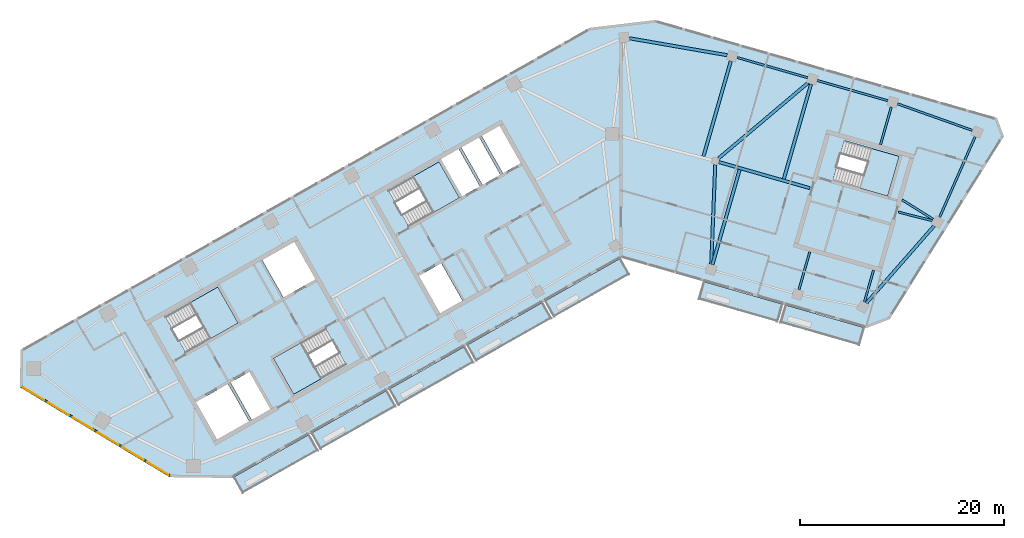
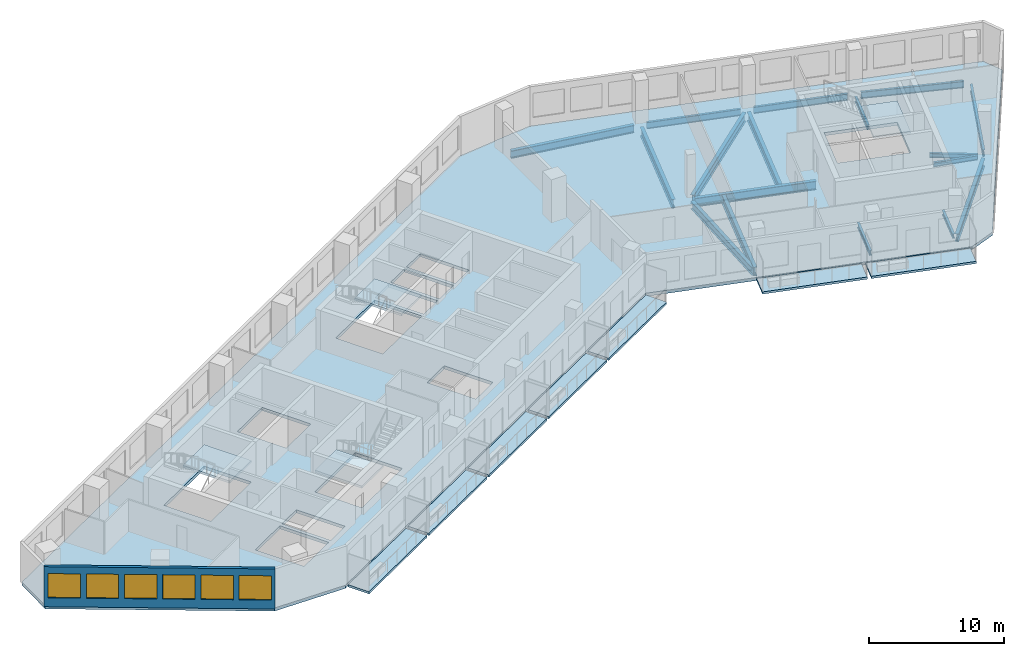
# One storey, part 2 of 12: 17 beams, 12 slabs, 6 windows, 1 wall, 6 openings, 4 elements without a shape of their own.
"""IFC4 building model written with IfcOpenShell, lengths in metres."""

from ifc_helpers import new_model, si_unit, direction, frame, frame_2d, origin, origin_2d, place, context, subcontext, project, spatial, polyline, rectangle, i_section, outline, extrude, material, layer, layer_set, material_profile, profile_set, type_object, element, fill, aggregate, save


model = new_model("IFC4")

# Units and contexts
model_context = context("Model", 3, precision=1e-05, world=origin(), true_north=direction((0.0, 1.0)))
body_context = subcontext(model_context, "Body", "Model", "MODEL_VIEW")
ifc_project = project(units=[si_unit("LENGTHUNIT", "METRE"), si_unit("AREAUNIT", "SQUARE_METRE"), si_unit("VOLUMEUNIT", "CUBIC_METRE"), si_unit("PLANEANGLEUNIT", "RADIAN"), si_unit("MASSUNIT", "GRAM", prefix="KILO")], contexts=[model_context])

# Site, building, storey
site_placement = place(None, origin())
site = spatial("IfcSite", under=ifc_project, at=site_placement, CompositionType="ELEMENT")
building_placement = place(site_placement, origin())
building = spatial("IfcBuilding", under=site, at=building_placement, Name="Binnacle Exchange Tower", CompositionType="ELEMENT")
storey_placement = place(building_placement, frame((0.0, 0.0, 242.60009765625)))
storey = spatial("IfcBuildingStorey", under=building, at=storey_placement, Name="L53", CompositionType="ELEMENT", Elevation=242.60009765625)

# Beams
ifc_material_1 = material(Name="Steel S355 (SHN355)", Category="steel")
ifc_material_profile_1 = material_profile(ifc_material_1, i_section(OverallWidth=0.199951171875, OverallDepth=0.60009765625, WebThickness=0.010986328125, FlangeThickness=0.01708984375, FilletRadius=0.02197265625, at=origin_2d()), Name="H 600x200x11x17")
ifc_profile_set_1 = profile_set([ifc_material_profile_1], Name="Steel S355 (SHN355)")
beam_type_1 = type_object("IfcBeamType", Name="Edge girder H 600x200x11x17 Steel S355 (SHN355)", PredefinedType="SPANDREL", material=ifc_profile_set_1)
beam_1_placement = place(storey_placement, frame((18.265625, 65.513916015625, -0.580078125), z_axis=(-0.961255050864, 0.275660528891, 0.0), x_axis=(-0.275660528891, -0.961255050864, 0.0)))
element("IfcBeam", 1, at=beam_1_placement, inside=storey, type_object=beam_type_1, Name="S:BM:edge:L53:029", PredefinedType="SPANDREL", context=body_context, shape_type="SweptSolid", body=[
    extrude(i_section(OverallWidth=0.199951171875, OverallDepth=0.60009765625, WebThickness=0.010986328125, FlangeThickness=0.01708984375, FilletRadius=0.02197265625, at=origin_2d()), origin(), (0.0, 0.0, 1.0), 7.1728515625),
])
beam_2_placement = place(storey_placement, frame((26.1220703125, 63.26123046875, -0.580078125), z_axis=(-0.96126665508, 0.275620060647, 0.0), x_axis=(-0.275620060647, -0.96126665508, 0.0)))
element("IfcBeam", 2, at=beam_2_placement, inside=storey, type_object=beam_type_1, Name="S:BM:edge:L53:031", PredefinedType="SPANDREL", context=body_context, shape_type="SweptSolid", body=[
    extrude(i_section(OverallWidth=0.199951171875, OverallDepth=0.60009765625, WebThickness=0.010986328125, FlangeThickness=0.01708984375, FilletRadius=0.02197265625, at=origin_2d()), origin(), (0.0, 0.0, 1.0), 7.173095703125),
])
ifc_material_profile_2 = material_profile(ifc_material_1, i_section(OverallWidth=0.200927734375, OverallDepth=0.60595703125, WebThickness=0.011962890625, FlangeThickness=0.02001953125, FilletRadius=0.02197265625, at=origin_2d()), Name="H 606x201x12x20")
ifc_profile_set_2 = profile_set([ifc_material_profile_2], Name="Steel S355 (SHN355)")
beam_type_2 = type_object("IfcBeamType", Name="Edge girder H 606x201x12x20 Steel S355 (SHN355)", PredefinedType="SPANDREL", material=ifc_profile_set_2)
beam_3_placement = place(storey_placement, frame((34.3984375, 60.3544921875, -0.5830078125), z_axis=(-0.942323270608, 0.334704128553, 0.0), x_axis=(-0.334704128553, -0.942323270608, 0.0)))
element("IfcBeam", 3, at=beam_3_placement, inside=storey, type_object=beam_type_2, Name="S:BM:edge:L53:033", PredefinedType="SPANDREL", context=body_context, shape_type="SweptSolid", body=[
    extrude(i_section(OverallWidth=0.200927734375, OverallDepth=0.60595703125, WebThickness=0.011962890625, FlangeThickness=0.02001953125, FilletRadius=0.02197265625, at=origin_2d()), origin(), (0.0, 0.0, 1.0), 7.77197265625),
])
ifc_material_profile_3 = material_profile(ifc_material_1, i_section(OverallWidth=0.201904296875, OverallDepth=0.612060546875, WebThickness=0.012939453125, FlangeThickness=0.02294921875, FilletRadius=0.02197265625, at=origin_2d()), Name="H 612x202x13x23")
ifc_profile_set_3 = profile_set([ifc_material_profile_3], Name="Steel S355 (SHN355)")
beam_type_3 = type_object("IfcBeamType", Name="Edge girder H 612x202x13x23 Steel S355 (SHN355)", PredefinedType="SPANDREL", material=ifc_profile_set_3)
beam_4_placement = place(storey_placement, frame((31.193359375, 51.848388671875, -0.586181640625), z_axis=(0.403459457176, 0.914997522628, 0.0), x_axis=(-0.914997522628, 0.403459457176, 0.0)))
element("IfcBeam", 4, at=beam_4_placement, inside=storey, type_object=beam_type_3, Name="S:BM:edge:L53:032", PredefinedType="SPANDREL", context=body_context, shape_type="SweptSolid", body=[
    extrude(i_section(OverallWidth=0.201904296875, OverallDepth=0.612060546875, WebThickness=0.012939453125, FlangeThickness=0.02294921875, FilletRadius=0.02197265625, at=origin_2d()), origin(), (0.0, 0.0, 1.0), 8.61328125),
])
ifc_material_profile_4 = material_profile(ifc_material_1, i_section(OverallWidth=0.300048828125, OverallDepth=0.699951171875, WebThickness=0.012939453125, FlangeThickness=0.02392578125, FilletRadius=0.028076171875, at=origin_2d()), Name="H 700x300x13x24")
ifc_profile_set_4 = profile_set([ifc_material_profile_4], Name="Steel S355 (SHN355)")
beam_type_4 = type_object("IfcBeamType", Name="Edge girder H 700x300x13x24 Steel S355 (SHN355)", PredefinedType="SPANDREL", material=ifc_profile_set_4)
beam_5_placement = place(storey_placement, frame((10.39453125, 67.71484375, -0.630126953125), z_axis=(-0.985315512383, 0.170743494921, 0.0), x_axis=(-0.170743494921, -0.985315512383, 0.0)))
element("IfcBeam", 5, at=beam_5_placement, inside=storey, type_object=beam_type_4, Name="S:BM:edge:L53:027", PredefinedType="SPANDREL", context=body_context, shape_type="SweptSolid", body=[
    extrude(i_section(OverallWidth=0.300048828125, OverallDepth=0.699951171875, WebThickness=0.012939453125, FlangeThickness=0.02392578125, FilletRadius=0.028076171875, at=origin_2d()), origin(), (0.0, 0.0, 1.0), 9.72314453125),
])
beam_6_placement = place(storey_placement, frame((24.026123046875, 43.44580078125, -0.630126953125), z_axis=(0.659336218273, 0.751848223562, 0.0), x_axis=(-0.751848223562, 0.659336218273, 0.0)))
element("IfcBeam", 6, at=beam_6_placement, inside=storey, type_object=beam_type_4, Name="S:BM:edge:L53:030", PredefinedType="SPANDREL", context=body_context, shape_type="SweptSolid", body=[
    extrude(i_section(OverallWidth=0.300048828125, OverallDepth=0.699951171875, WebThickness=0.012939453125, FlangeThickness=0.02392578125, FilletRadius=0.028076171875, at=origin_2d()), origin(), (0.0, 0.0, 1.0), 10.0546875),
])
ifc_material_profile_5 = material_profile(ifc_material_1, i_section(OverallWidth=0.199951171875, OverallDepth=0.39990234375, WebThickness=0.008056640625, FlangeThickness=0.012939453125, FilletRadius=0.01611328125, at=origin_2d()), Name="H 400x200x8x13")
ifc_profile_set_5 = profile_set([ifc_material_profile_5], Name="Steel S355 (SHN355)")
beam_type_5 = type_object("IfcBeamType", Name="Floor beam H 400x200x8x13 Steel S355 (SHN355)", PredefinedType="BEAM", material=ifc_profile_set_5)
beam_7_placement = place(storey_placement, frame((23.832275390625, 43.55810546875, -0.47998046875), z_axis=(0.275607869103, 0.961270150628, 0.0), x_axis=(-0.961270150628, 0.275607869103, 0.0)))
element("IfcBeam", 7, at=beam_7_placement, inside=storey, type_object=beam_type_5, Name="S:BM:cross:L53:051", PredefinedType="BEAM", context=body_context, shape_type="SweptSolid", body=[
    extrude(i_section(OverallWidth=0.199951171875, OverallDepth=0.39990234375, WebThickness=0.008056640625, FlangeThickness=0.012939453125, FilletRadius=0.01611328125, at=origin_2d()), origin(), (0.0, 0.0, 1.0), 3.23583984375),
])
beam_8_placement = place(storey_placement, frame((30.5654296875, 51.6513671875, -0.47998046875), z_axis=(-0.848078408173, 0.529870751779, 0.0), x_axis=(-0.529870751779, -0.848078408173, 0.0)))
element("IfcBeam", 8, at=beam_8_placement, inside=storey, type_object=beam_type_5, Name="S:BM:cross:L53:053", PredefinedType="BEAM", context=body_context, shape_type="SweptSolid", body=[
    extrude(i_section(OverallWidth=0.199951171875, OverallDepth=0.39990234375, WebThickness=0.008056640625, FlangeThickness=0.012939453125, FilletRadius=0.01611328125, at=origin_2d()), origin(), (0.0, 0.0, 1.0), 3.59521484375),
])
ifc_material_profile_6 = material_profile(ifc_material_1, i_section(OverallWidth=0.199951171875, OverallDepth=0.449951171875, WebThickness=0.009033203125, FlangeThickness=0.013916015625, FilletRadius=0.01806640625, at=origin_2d()), Name="H 450x200x9x14")
ifc_profile_set_6 = profile_set([ifc_material_profile_6], Name="Steel S355 (SHN355)")
beam_type_6 = type_object("IfcBeamType", Name="Floor beam H 450x200x9x14 Steel S355 (SHN355)", PredefinedType="BEAM", material=ifc_profile_set_6)
for number, where, z_axis, x_axis, name in (
    (9, (17.426025390625, 44.771728515625, -0.505126953125), (0.27564586602, 0.961259255636, 0.0), (-0.961259255636, 0.27564586602, 0.0), "S:BM:cross:L53:049"),
    (10, (26.46484375, 62.642822265625, -0.505126953125), (-0.27564586602, -0.961259255636, 0.0), (0.961259255636, -0.27564586602, 0.0), "S:BM:cross:L53:052"),
):
    element("IfcBeam", number, at=place(storey_placement, frame(where, z_axis=z_axis, x_axis=x_axis)), inside=storey, type_object=beam_type_6, Name=name, PredefinedType="BEAM", context=body_context, shape_type="SweptSolid", body=[
        extrude(i_section(OverallWidth=0.199951171875, OverallDepth=0.449951171875, WebThickness=0.009033203125, FlangeThickness=0.013916015625, FilletRadius=0.01806640625, at=origin_2d()), origin(), (0.0, 0.0, 1.0), 3.835205078125),
    ])
ifc_material_profile_7 = material_profile(ifc_material_1, i_section(OverallWidth=0.300048828125, OverallDepth=0.800048828125, WebThickness=0.013916015625, FlangeThickness=0.02587890625, FilletRadius=0.028076171875, at=origin_2d()), Name="H 800x300x14x26")
ifc_profile_set_7 = profile_set([ifc_material_profile_7], Name="Steel S355 (SHN355)")
beam_type_7 = type_object("IfcBeamType", Name="Floor beam H 800x300x14x26 Steel S355 (SHN355)", PredefinedType="BEAM", material=ifc_profile_set_7)
beam_9_placement = place(storey_placement, frame((8.947265625, 47.202880859375, -0.68017578125), z_axis=(0.275643212873, 0.961260016435, 0.0), x_axis=(-0.961260016435, 0.275643212873, 0.0)))
element("IfcBeam", 11, at=beam_9_placement, inside=storey, type_object=beam_type_7, Name="S:BM:cross:L53:047", PredefinedType="BEAM", context=body_context, shape_type="SweptSolid", body=[
    extrude(i_section(OverallWidth=0.300048828125, OverallDepth=0.800048828125, WebThickness=0.013916015625, FlangeThickness=0.02587890625, FilletRadius=0.028076171875, at=origin_2d()), origin(), (0.0, 0.0, 1.0), 9.685302734375),
])
beam_10_placement = place(storey_placement, frame((10.752197265625, 67.1484375, -0.68017578125), z_axis=(-0.275623948616, -0.96126554029, 0.0), x_axis=(0.96126554029, -0.275623948616, 0.0)))
element("IfcBeam", 12, at=beam_10_placement, inside=storey, type_object=beam_type_7, Name="S:BM:cross:L53:048", PredefinedType="BEAM", context=body_context, shape_type="SweptSolid", body=[
    extrude(i_section(OverallWidth=0.300048828125, OverallDepth=0.800048828125, WebThickness=0.013916015625, FlangeThickness=0.02587890625, FilletRadius=0.028076171875, at=origin_2d()), origin(), (0.0, 0.0, 1.0), 9.71337890625),
])
beam_11_placement = place(storey_placement, frame((18.6083984375, 64.8955078125, -0.68017578125), z_axis=(-0.275626599208, -0.961264780281, 0.0), x_axis=(0.961264780281, -0.275626599208, 0.0)))
element("IfcBeam", 13, at=beam_11_placement, inside=storey, type_object=beam_type_7, Name="S:BM:cross:L53:050", PredefinedType="BEAM", context=body_context, shape_type="SweptSolid", body=[
    extrude(i_section(OverallWidth=0.300048828125, OverallDepth=0.800048828125, WebThickness=0.013916015625, FlangeThickness=0.02587890625, FilletRadius=0.028076171875, at=origin_2d()), origin(), (0.0, 0.0, 1.0), 9.68505859375),
])
ifc_material_profile_8 = material_profile(ifc_material_1, i_section(OverallWidth=0.199951171875, OverallDepth=0.39990234375, WebThickness=0.008056640625, FlangeThickness=0.012939453125, FilletRadius=0.01611328125, at=origin_2d()), Name="H 400x200x8x13")
ifc_profile_set_8 = profile_set([ifc_material_profile_8], Name="Steel S355 (SHN355)")
beam_type_8 = type_object("IfcBeamType", Name="Spine girder H 400x200x8x13 Steel S355 (SHN355)", PredefinedType="BEAM", material=ifc_profile_set_8)
beam_12_placement = place(storey_placement, frame((27.17138671875, 52.35400390625, -0.47998046875), z_axis=(0.969354959992, -0.245664326957, 0.0), x_axis=(0.245664326957, 0.969354959992, 0.0)))
element("IfcBeam", 14, at=beam_12_placement, inside=storey, type_object=beam_type_8, Name="S:BM:spine:L53:010", PredefinedType="BEAM", context=body_context, shape_type="SweptSolid", body=[
    extrude(i_section(OverallWidth=0.199951171875, OverallDepth=0.39990234375, WebThickness=0.008056640625, FlangeThickness=0.012939453125, FilletRadius=0.01611328125, at=origin_2d()), origin(), (0.0, 0.0, 1.0), 3.41357421875),
])
ifc_material_profile_9 = material_profile(ifc_material_1, i_section(OverallWidth=0.300048828125, OverallDepth=0.699951171875, WebThickness=0.012939453125, FlangeThickness=0.02392578125, FilletRadius=0.028076171875, at=origin_2d()), Name="H 700x300x13x24")
ifc_profile_set_9 = profile_set([ifc_material_profile_9], Name="Steel S355 (SHN355)")
beam_type_9 = type_object("IfcBeamType", Name="Spine girder H 700x300x13x24 Steel S355 (SHN355)", PredefinedType="BEAM", material=ifc_profile_set_9)
beam_13_placement = place(storey_placement, frame((9.226318359375, 56.990234375, -0.630126953125), z_axis=(-0.040566314933, -0.999176848257, 0.0), x_axis=(0.999176848257, -0.040566314933, 0.0)))
element("IfcBeam", 15, at=beam_13_placement, inside=storey, type_object=beam_type_9, Name="S:BM:spine:L53:007", PredefinedType="BEAM", context=body_context, shape_type="SweptSolid", body=[
    extrude(i_section(OverallWidth=0.300048828125, OverallDepth=0.699951171875, WebThickness=0.012939453125, FlangeThickness=0.02392578125, FilletRadius=0.028076171875, at=origin_2d()), origin(), (0.0, 0.0, 1.0), 9.76171875),
])
ifc_material_profile_10 = material_profile(ifc_material_1, i_section(OverallWidth=0.300048828125, OverallDepth=0.800048828125, WebThickness=0.013916015625, FlangeThickness=0.02587890625, FilletRadius=0.028076171875, at=origin_2d()), Name="H 800x300x14x26")
ifc_profile_set_10 = profile_set([ifc_material_profile_10], Name="Steel S355 (SHN355)")
beam_type_10 = type_object("IfcBeamType", Name="Spine girder H 800x300x14x26 Steel S355 (SHN355)", PredefinedType="BEAM", material=ifc_profile_set_10)
beam_14_placement = place(storey_placement, frame((9.577392578125, 57.253662109375, -0.68017578125), z_axis=(0.961262936931, -0.275633027924, 0.0), x_axis=(0.275633027924, 0.961262936931, 0.0)))
element("IfcBeam", 16, at=beam_14_placement, inside=storey, type_object=beam_type_10, Name="S:BM:spine:L53:009", PredefinedType="BEAM", context=body_context, shape_type="SweptSolid", body=[
    extrude(i_section(OverallWidth=0.300048828125, OverallDepth=0.800048828125, WebThickness=0.013916015625, FlangeThickness=0.02587890625, FilletRadius=0.028076171875, at=origin_2d()), origin(), (0.0, 0.0, 1.0), 9.26318359375),
])
ifc_material_profile_11 = material_profile(ifc_material_1, i_section(OverallWidth=0.302001953125, OverallDepth=0.80810546875, WebThickness=0.01611328125, FlangeThickness=0.030029296875, FilletRadius=0.028076171875, at=origin_2d()), Name="H 808x302x16x30")
ifc_profile_set_11 = profile_set([ifc_material_profile_11], Name="Steel S355 (SHN355)")
beam_type_11 = type_object("IfcBeamType", Name="Spine girder H 808x302x16x30 Steel S355 (SHN355)", PredefinedType="BEAM", material=ifc_profile_set_11)
beam_15_placement = place(storey_placement, frame((9.562744140625, 57.6220703125, -0.68408203125), z_axis=(0.764068797706, 0.645134770704, 0.0), x_axis=(-0.645134770704, 0.764068797706, 0.0)))
element("IfcBeam", 17, at=beam_15_placement, inside=storey, type_object=beam_type_11, Name="S:BM:spine:L53:008", PredefinedType="BEAM", context=body_context, shape_type="SweptSolid", body=[
    extrude(i_section(OverallWidth=0.302001953125, OverallDepth=0.80810546875, WebThickness=0.01611328125, FlangeThickness=0.030029296875, FilletRadius=0.028076171875, at=origin_2d()), origin(), (0.0, 0.0, 1.0), 11.417236328125),
])

# Slabs
ifc_material_2 = material(Name="Concrete C35/45", Category="concrete")
ifc_layer_1 = layer(ifc_material_2, 0.199951171875)
ifc_layer_set_1 = layer_set([ifc_layer_1], Name="BALCONY SLAB 200")
slab_type_1 = type_object("IfcSlabType", Name="BALCONY SLAB 200", PredefinedType="FLOOR", material=ifc_layer_set_1)
slab_1_placement = place(storey_placement, frame((0.0, 0.0, -0.2001953125)))
element("IfcSlab", 18, at=slab_1_placement, inside=storey, type_object=slab_type_1, Name="Balcony BA-G01-00 L53", PredefinedType="FLOOR", context=body_context, shape_type="SweptSolid", body=[
    extrude(outline(polyline([(-37.90576171875, 26.410400390625), (-30.54736328125, 30.573486328125), (-29.660888671875, 29.0068359375), (-37.019287109375, 24.84375), (-37.90576171875, 26.410400390625)])), origin(), (0.0, 0.0, 1.0), 0.2001953125),
])
slab_2_placement = place(storey_placement, frame((0.0, 0.0, -0.2001953125)))
element("IfcSlab", 19, at=slab_2_placement, inside=storey, type_object=slab_type_1, Name="Balcony BA-G01-01 L53", PredefinedType="FLOOR", context=body_context, shape_type="SweptSolid", body=[
    extrude(outline(polyline([(-30.2861328125, 30.72119140625), (-22.927734375, 34.884521484375), (-22.041259765625, 33.31787109375), (-29.39990234375, 29.15478515625), (-30.2861328125, 30.72119140625)])), origin(), (0.0, 0.0, 1.0), 0.2001953125),
])
slab_3_placement = place(storey_placement, frame((0.0, 0.0, -0.2001953125)))
element("IfcSlab", 20, at=slab_3_placement, inside=storey, type_object=slab_type_1, Name="Balcony BA-G01-02 L53", PredefinedType="FLOOR", context=body_context, shape_type="SweptSolid", body=[
    extrude(outline(polyline([(-22.66650390625, 35.0322265625), (-15.30810546875, 39.195556640625), (-14.421875, 37.62890625), (-21.7802734375, 33.465576171875), (-22.66650390625, 35.0322265625)])), origin(), (0.0, 0.0, 1.0), 0.2001953125),
])
slab_4_placement = place(storey_placement, frame((0.0, 0.0, -0.2001953125)))
element("IfcSlab", 21, at=slab_4_placement, inside=storey, type_object=slab_type_1, Name="Balcony BA-G01-03 L53", PredefinedType="FLOOR", context=body_context, shape_type="SweptSolid", body=[
    extrude(outline(polyline([(-15.047119140625, 39.34326171875), (-7.6884765625, 43.50634765625), (-6.802001953125, 41.939697265625), (-14.16064453125, 37.776611328125), (-15.047119140625, 39.34326171875)])), origin(), (0.0, 0.0, 1.0), 0.2001953125),
])
slab_5_placement = place(storey_placement, frame((0.0, 0.0, -0.2001953125)))
element("IfcSlab", 22, at=slab_5_placement, inside=storey, type_object=slab_type_1, Name="Balcony BA-G01-04 L53", PredefinedType="FLOOR", context=body_context, shape_type="SweptSolid", body=[
    extrude(outline(polyline([(-7.427490234375, 43.654296875), (-0.069091796875, 47.8173828125), (0.8173828125, 46.250732421875), (-6.541015625, 42.08740234375), (-7.427490234375, 43.654296875)])), origin(), (0.0, 0.0, 1.0), 0.2001953125),
])
slab_6_placement = place(storey_placement, frame((0.0, 0.0, -0.2001953125)))
element("IfcSlab", 23, at=slab_6_placement, inside=storey, type_object=slab_type_1, Name="Balcony BA-G02-01 L53", PredefinedType="FLOOR", context=body_context, shape_type="SweptSolid", body=[
    extrude(outline(polyline([(8.10791015625, 45.545166015625), (15.8173828125, 43.33447265625), (15.3212890625, 41.60400390625), (7.61181640625, 43.814697265625), (8.10791015625, 45.545166015625)])), origin(), (0.0, 0.0, 1.0), 0.2001953125),
])
slab_7_placement = place(storey_placement, frame((0.0, 0.0, -0.2001953125)))
element("IfcSlab", 24, at=slab_7_placement, inside=storey, type_object=slab_type_1, Name="Balcony BA-G02-02 L53", PredefinedType="FLOOR", context=body_context, shape_type="SweptSolid", body=[
    extrude(outline(polyline([(16.10595703125, 43.251708984375), (23.815673828125, 41.041015625), (23.319580078125, 39.310791015625), (15.60986328125, 41.521484375), (16.10595703125, 43.251708984375)])), origin(), (0.0, 0.0, 1.0), 0.2001953125),
])
ifc_layer_2 = layer(ifc_material_2, 0.280029296875)
ifc_layer_set_2 = layer_set([ifc_layer_2], Name="Floor slab 280 Concrete C35/45")
slab_type_2 = type_object("IfcSlabType", Name="Floor slab 280 Concrete C35/45", PredefinedType="FLOOR", material=ifc_layer_set_2)
slab_8_placement = place(storey_placement, frame((0.0, 0.0, -0.280029296875)))
element("IfcSlab", 25, at=slab_8_placement, inside=storey, type_object=slab_type_2, Name="S:SL:L53:01", PredefinedType="FLOOR", context=body_context, shape_type="SweptSolid", body=[
    extrude(outline(polyline([(-58.716064453125, 35.280029296875), (-58.669921875, 38.80615234375), (-3.046142578125, 70.276611328125), (3.364501953125, 71.035400390625), (36.71240234375, 61.472900390625), (37.359375, 59.787353515625), (26.23095703125, 41.978515625), (23.994140625, 41.119873046875), (0.0, 48.0), (-38.097900390625, 26.4453125), (-44.14404296875, 26.5244140625), (-58.716064453125, 35.280029296875)]), holes=[polyline([(-38.4794921875, 35.529296875), (-41.61279296875, 33.756591796875), (-39.544677734375, 30.10107421875), (-36.411376953125, 31.873779296875), (-38.4794921875, 35.529296875)]), polyline([(-36.390625, 36.711181640625), (-38.21826171875, 35.677001953125), (-36.150146484375, 32.021484375), (-34.322509765625, 33.0556640625), (-36.390625, 36.711181640625)]), polyline([(-32.04638671875, 34.515625), (-26.9287109375, 37.4111328125), (-28.923095703125, 40.93603515625), (-34.040771484375, 38.04052734375), (-32.04638671875, 34.515625)]), polyline([(-37.486572265625, 41.4912109375), (-39.480712890625, 45.01611328125), (-44.598388671875, 42.12060546875), (-42.604248046875, 38.595703125), (-37.486572265625, 41.4912109375)]), polyline([(-29.914306640625, 45.775390625), (-31.982666015625, 49.430908203125), (-35.115966796875, 47.657958984375), (-33.047607421875, 44.00244140625), (-29.914306640625, 45.775390625)]), polyline([(-17.81689453125, 57.27294921875), (-22.760498046875, 54.47607421875), (-20.76611328125, 50.950927734375), (-15.822509765625, 53.748046875), (-17.81689453125, 57.27294921875)]), polyline([(-15.53076171875, 43.6875), (-17.598876953125, 47.343017578125), (-19.77490234375, 46.11181640625), (-17.70654296875, 42.456298828125), (-15.53076171875, 43.6875)]), polyline([(-13.82080078125, 54.880615234375), (-15.888916015625, 58.5361328125), (-17.629638671875, 57.55126953125), (-15.5615234375, 53.895751953125), (-13.82080078125, 54.880615234375)]), polyline([(27.227783203125, 57.810302734375), (21.864013671875, 59.348388671875), (20.74755859375, 55.455078125), (26.111328125, 53.9169921875), (27.227783203125, 57.810302734375)]), polyline([(-11.819091796875, 56.01318359375), (-13.88720703125, 59.668701171875), (-15.6279296875, 58.683837890625), (-13.559814453125, 55.0283203125), (-11.819091796875, 56.01318359375)]), polyline([(-9.817138671875, 57.145751953125), (-11.885498046875, 60.80126953125), (-13.626220703125, 59.81640625), (-11.557861328125, 56.160888671875), (-9.817138671875, 57.145751953125)])]), origin(), (0.0, 0.0, 1.0), 0.280029296875),
])

# Stair, slab
stair_type = type_object("IfcStairType", Name="STAIR 22 RISERS 177", PredefinedType="HALF_TURN_STAIR", material=ifc_material_2)
stair_1_placement = place(storey_placement, origin())
stair_1 = element("IfcStair", 26, at=stair_1_placement, inside=storey, type_object=stair_type, Name="L53 Escape stair A1", PredefinedType="HALF_TURN_STAIR")
ifc_layer_3 = layer(ifc_material_2, 0.199951171875)
ifc_layer_set_3 = layer_set([ifc_layer_3], Name="STAIR LANDING 200")
slab_type_3 = type_object("IfcSlabType", Name="STAIR LANDING 200", PredefinedType="LANDING", material=ifc_layer_set_3)
slab_9_placement = place(storey_placement, frame((0.0, 0.0, 1.75)))
slab_9 = element("IfcSlab", 27, at=slab_9_placement, type_object=slab_type_3, Name="STA1 landing 1", PredefinedType="LANDING", context=body_context, shape_type="SweptSolid", body=[
    extrude(outline(polyline([(-40.2021484375, 39.954833984375), (-37.486572265625, 41.4912109375), (-39.48095703125, 45.01611328125), (-42.1962890625, 43.479736328125), (-40.2021484375, 39.954833984375)])), origin(), (0.0, 0.0, 1.0), 0.199951171875),
])
aggregate(stair_1, [slab_9])

stair_2_placement = place(storey_placement, origin())
stair_2 = element("IfcStair", 28, at=stair_2_placement, inside=storey, type_object=stair_type, Name="L53 Escape stair A2", PredefinedType="HALF_TURN_STAIR")
slab_10_placement = place(storey_placement, frame((0.0, 0.0, 1.75)))
slab_10 = element("IfcSlab", 29, at=slab_10_placement, type_object=slab_type_3, Name="STA2 landing 1", PredefinedType="LANDING", context=body_context, shape_type="SweptSolid", body=[
    extrude(outline(polyline([(-31.3251953125, 39.576904296875), (-34.040771484375, 38.04052734375), (-32.04638671875, 34.515625), (-29.330810546875, 36.052001953125), (-31.3251953125, 39.576904296875)])), origin(), (0.0, 0.0, 1.0), 0.199951171875),
])
aggregate(stair_2, [slab_10])

stair_3_placement = place(storey_placement, origin())
stair_3 = element("IfcStair", 30, at=stair_3_placement, inside=storey, type_object=stair_type, Name="L53 Escape stair C1", PredefinedType="HALF_TURN_STAIR")
slab_11_placement = place(storey_placement, frame((0.0, 0.0, 1.75)))
slab_11 = element("IfcSlab", 31, at=slab_11_placement, type_object=slab_type_3, Name="STC1 landing 1", PredefinedType="LANDING", context=body_context, shape_type="SweptSolid", body=[
    extrude(outline(polyline([(-18.364013671875, 52.31005859375), (-15.822509765625, 53.748046875), (-17.81689453125, 57.27294921875), (-20.3583984375, 55.8349609375), (-18.364013671875, 52.31005859375)])), origin(), (0.0, 0.0, 1.0), 0.199951171875),
])
aggregate(stair_3, [slab_11])

stair_4_placement = place(storey_placement, origin())
stair_4 = element("IfcStair", 32, at=stair_4_placement, inside=storey, type_object=stair_type, Name="L53 Escape stair D1", PredefinedType="HALF_TURN_STAIR")
slab_12_placement = place(storey_placement, frame((0.0, 0.0, 1.75)))
slab_12 = element("IfcSlab", 33, at=slab_12_placement, type_object=slab_type_3, Name="STD1 landing 1", PredefinedType="LANDING", context=body_context, shape_type="SweptSolid", body=[
    extrude(outline(polyline([(23.400634765625, 54.6943359375), (26.111328125, 53.917236328125), (27.227783203125, 57.810302734375), (24.516845703125, 58.587646484375), (23.400634765625, 54.6943359375)])), origin(), (0.0, 0.0, 1.0), 0.199951171875),
])
aggregate(stair_4, [slab_12])

# Wall, openings, windows
ifc_material_3 = material(Name="Bronze aluminium cladding", Category="aluminium")
ifc_layer_4 = layer(ifc_material_3, 0.25)
ifc_layer_set_4 = layer_set([ifc_layer_4], Name="External wall - window wall 250")
wall_type = type_object("IfcWallType", Name="External wall - window wall 250", PredefinedType="STANDARD", material=ifc_layer_set_4)
wall_placement = place(storey_placement, frame((-44.115234375, 26.507080078125, 0.0), z_axis=(0.0, 0.0, 1.0), x_axis=(-0.857166583633, 0.515039268311, 0.0)))
wall = element("IfcWall", 34, at=wall_placement, inside=storey, type_object=wall_type, Name="External wall EW-G10 L53", PredefinedType="STANDARD", context=body_context, shape_type="SweptSolid", body=[
    extrude(rectangle(XDim=17.105712890625, YDim=0.25, at=frame_2d((8.552734375, 0.0))), origin(), (0.0, 0.0, 1.0), 3.619873046875),
])
opening_1_placement = place(wall_placement, frame((14.4169921875, 0.0, 0.800048828125)))
opening_1 = element("IfcOpeningElement", 35, at=opening_1_placement, cuts=wall, Name="Opening WR1", PredefinedType="OPENING", context=body_context, shape_type="SweptSolid", body=[
    extrude(rectangle(XDim=2.39990234375, YDim=2.199951171875, at=frame_2d((1.199951171875, 1.10009765625))), frame((0.0, 0.135009765625, 0.0), z_axis=(0.0, -1.0, 0.0), x_axis=(1.0, 0.0, 0.0)), (0.0, 0.0, 1.0), 0.27001953125),
])
opening_2_placement = place(wall_placement, frame((11.583740234375, 0.0, 0.800048828125)))
opening_2 = element("IfcOpeningElement", 36, at=opening_2_placement, cuts=wall, Name="Opening WR1", PredefinedType="OPENING", context=body_context, shape_type="SweptSolid", body=[
    extrude(rectangle(XDim=2.39990234375, YDim=2.199951171875, at=frame_2d((1.199951171875, 1.10009765625))), frame((0.0, 0.135009765625, 0.0), z_axis=(0.0, -1.0, 0.0), x_axis=(1.0, 0.0, 0.0)), (0.0, 0.0, 1.0), 0.27001953125),
])
opening_3_placement = place(wall_placement, frame((8.75048828125, 0.0, 0.800048828125)))
opening_3 = element("IfcOpeningElement", 37, at=opening_3_placement, cuts=wall, Name="Opening WR1", PredefinedType="OPENING", context=body_context, shape_type="SweptSolid", body=[
    extrude(rectangle(XDim=2.39990234375, YDim=2.199951171875, at=frame_2d((1.199951171875, 1.10009765625))), frame((0.0, 0.135009765625, 0.0), z_axis=(0.0, -1.0, 0.0), x_axis=(1.0, 0.0, 0.0)), (0.0, 0.0, 1.0), 0.27001953125),
])
opening_4_placement = place(wall_placement, frame((5.9169921875, 0.0, 0.800048828125)))
opening_4 = element("IfcOpeningElement", 38, at=opening_4_placement, cuts=wall, Name="Opening WR1", PredefinedType="OPENING", context=body_context, shape_type="SweptSolid", body=[
    extrude(rectangle(XDim=2.39990234375, YDim=2.199951171875, at=frame_2d((1.199951171875, 1.10009765625))), frame((0.0, 0.135009765625, 0.0), z_axis=(0.0, -1.0, 0.0), x_axis=(1.0, 0.0, 0.0)), (0.0, 0.0, 1.0), 0.27001953125),
])
opening_5_placement = place(wall_placement, frame((3.083740234375, 0.0, 0.800048828125)))
opening_5 = element("IfcOpeningElement", 39, at=opening_5_placement, cuts=wall, Name="Opening WR1", PredefinedType="OPENING", context=body_context, shape_type="SweptSolid", body=[
    extrude(rectangle(XDim=2.39990234375, YDim=2.199951171875, at=frame_2d((1.199951171875, 1.10009765625))), frame((0.0, 0.135009765625, 0.0), z_axis=(0.0, -1.0, 0.0), x_axis=(1.0, 0.0, 0.0)), (0.0, 0.0, 1.0), 0.27001953125),
])
opening_6_placement = place(wall_placement, frame((0.25048828125, 0.0, 0.800048828125)))
opening_6 = element("IfcOpeningElement", 40, at=opening_6_placement, cuts=wall, Name="Opening WR1", PredefinedType="OPENING", context=body_context, shape_type="SweptSolid", body=[
    extrude(rectangle(XDim=2.39990234375, YDim=2.199951171875, at=frame_2d((1.199951171875, 1.10009765625))), frame((0.0, 0.135009765625, 0.0), z_axis=(0.0, -1.0, 0.0), x_axis=(1.0, 0.0, 0.0)), (0.0, 0.0, 1.0), 0.27001953125),
])
ifc_material_4 = material(Name="Bronze anodised aluminium frame", Category="aluminium")
window_type = type_object("IfcWindowType", Name="WR1 WINDOW 2400x2200", PartitioningType="SINGLE_PANEL", PredefinedType="WINDOW", material=ifc_material_4)
window_1_placement = place(opening_1_placement, origin())
window_1 = element("IfcWindow", 41, at=window_1_placement, inside=storey, type_object=window_type, Name="Window WR1 L53", OverallHeight=2.199951171875, OverallWidth=2.39990234375, PartitioningType="SINGLE_PANEL", PredefinedType="WINDOW", context=body_context, shape_type="SweptSolid", body=[
    extrude(rectangle(XDim=2.39990234375, YDim=2.199951171875, at=frame_2d((1.199951171875, 1.10009765625))), frame((0.0, 0.030029296875, 0.0), z_axis=(0.0, -1.0, 0.0), x_axis=(1.0, 0.0, 0.0)), (0.0, 0.0, 1.0), 0.06005859375),
])
fill(opening_1, window_1)
window_2_placement = place(opening_2_placement, origin())
window_2 = element("IfcWindow", 42, at=window_2_placement, inside=storey, type_object=window_type, Name="Window WR1 L53", OverallHeight=2.199951171875, OverallWidth=2.39990234375, PartitioningType="SINGLE_PANEL", PredefinedType="WINDOW", context=body_context, shape_type="SweptSolid", body=[
    extrude(rectangle(XDim=2.39990234375, YDim=2.199951171875, at=frame_2d((1.199951171875, 1.10009765625))), frame((0.0, 0.030029296875, 0.0), z_axis=(0.0, -1.0, 0.0), x_axis=(1.0, 0.0, 0.0)), (0.0, 0.0, 1.0), 0.06005859375),
])
fill(opening_2, window_2)
window_3_placement = place(opening_3_placement, origin())
window_3 = element("IfcWindow", 43, at=window_3_placement, inside=storey, type_object=window_type, Name="Window WR1 L53", OverallHeight=2.199951171875, OverallWidth=2.39990234375, PartitioningType="SINGLE_PANEL", PredefinedType="WINDOW", context=body_context, shape_type="SweptSolid", body=[
    extrude(rectangle(XDim=2.39990234375, YDim=2.199951171875, at=frame_2d((1.199951171875, 1.10009765625))), frame((0.0, 0.030029296875, 0.0), z_axis=(0.0, -1.0, 0.0), x_axis=(1.0, 0.0, 0.0)), (0.0, 0.0, 1.0), 0.06005859375),
])
fill(opening_3, window_3)
window_4_placement = place(opening_4_placement, origin())
window_4 = element("IfcWindow", 44, at=window_4_placement, inside=storey, type_object=window_type, Name="Window WR1 L53", OverallHeight=2.199951171875, OverallWidth=2.39990234375, PartitioningType="SINGLE_PANEL", PredefinedType="WINDOW", context=body_context, shape_type="SweptSolid", body=[
    extrude(rectangle(XDim=2.39990234375, YDim=2.199951171875, at=frame_2d((1.199951171875, 1.10009765625))), frame((0.0, 0.030029296875, 0.0), z_axis=(0.0, -1.0, 0.0), x_axis=(1.0, 0.0, 0.0)), (0.0, 0.0, 1.0), 0.06005859375),
])
fill(opening_4, window_4)
window_5_placement = place(opening_5_placement, origin())
window_5 = element("IfcWindow", 45, at=window_5_placement, inside=storey, type_object=window_type, Name="Window WR1 L53", OverallHeight=2.199951171875, OverallWidth=2.39990234375, PartitioningType="SINGLE_PANEL", PredefinedType="WINDOW", context=body_context, shape_type="SweptSolid", body=[
    extrude(rectangle(XDim=2.39990234375, YDim=2.199951171875, at=frame_2d((1.199951171875, 1.10009765625))), frame((0.0, 0.030029296875, 0.0), z_axis=(0.0, -1.0, 0.0), x_axis=(1.0, 0.0, 0.0)), (0.0, 0.0, 1.0), 0.06005859375),
])
fill(opening_5, window_5)
window_6_placement = place(opening_6_placement, origin())
window_6 = element("IfcWindow", 46, at=window_6_placement, inside=storey, type_object=window_type, Name="Window WR1 L53", OverallHeight=2.199951171875, OverallWidth=2.39990234375, PartitioningType="SINGLE_PANEL", PredefinedType="WINDOW", context=body_context, shape_type="SweptSolid", body=[
    extrude(rectangle(XDim=2.39990234375, YDim=2.199951171875, at=frame_2d((1.199951171875, 1.10009765625))), frame((0.0, 0.030029296875, 0.0), z_axis=(0.0, -1.0, 0.0), x_axis=(1.0, 0.0, 0.0)), (0.0, 0.0, 1.0), 0.06005859375),
])
fill(opening_6, window_6)

save(model, "model.ifc")
